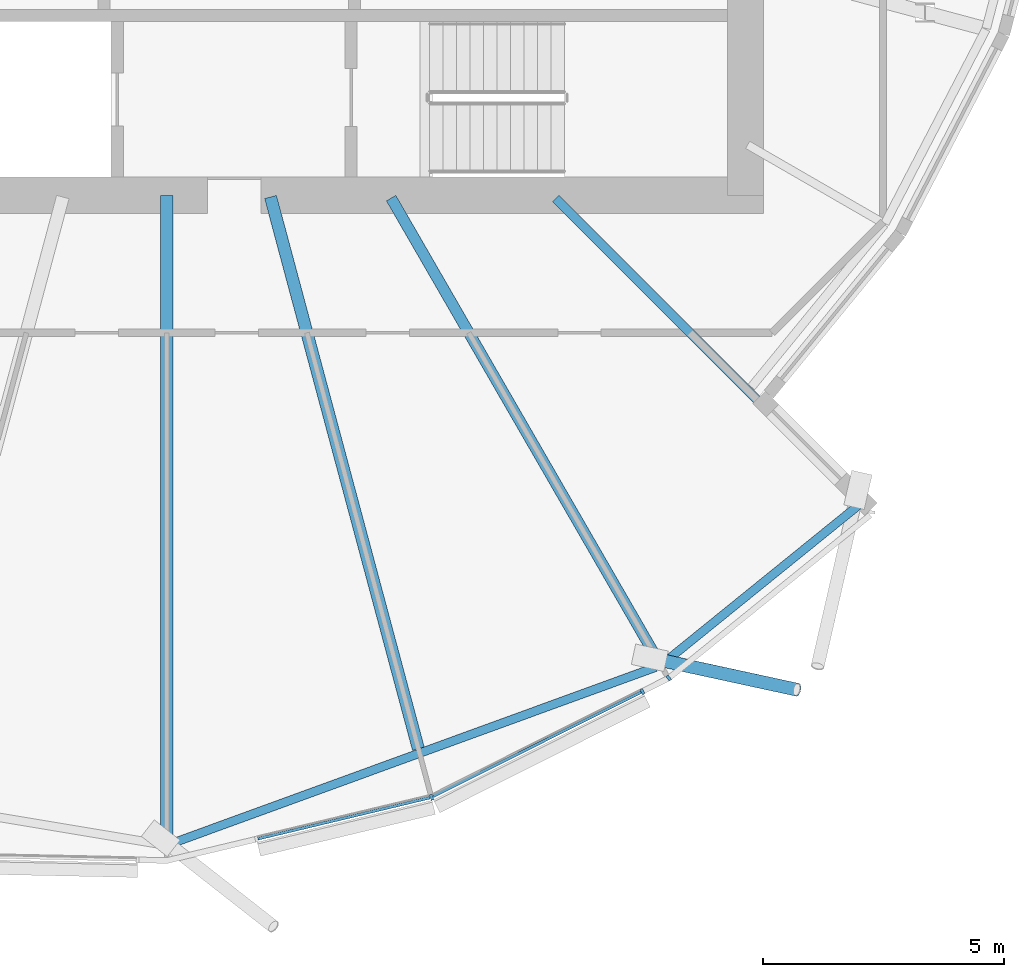
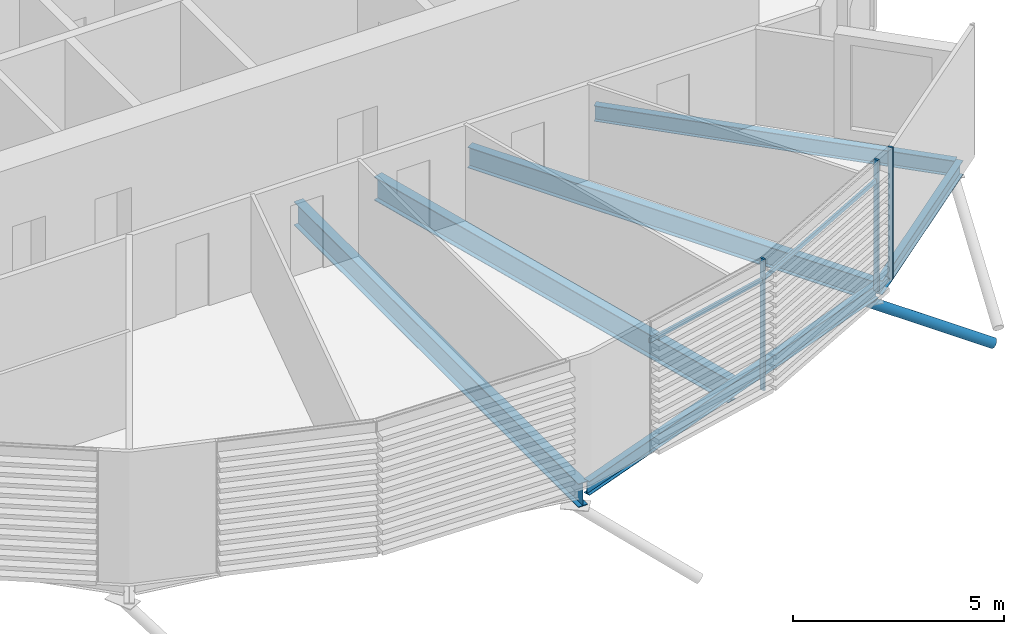
# One storey, part 14 of 38: 6 beams, 6 members, 1 element without a shape of its own.
"""IFC4 building model written with IfcOpenShell, lengths in metres."""

from ifc_helpers import new_model, si_unit, direction, frame, origin, origin_2d, place, context, subcontext, project, spatial, rectangle, hollow_circle, i_section, extrude, clip, halfspace, material, material_profile, profile_set, type_object, element, aggregate, save


model = new_model("IFC4")

# Units and contexts
model_context = context("Model", 3, precision=1e-05, world=origin(), true_north=direction((0.0, 1.0)))
body_context = subcontext(model_context, "Body", "Model", "MODEL_VIEW")
ifc_project = project(units=[si_unit("LENGTHUNIT", "METRE"), si_unit("AREAUNIT", "SQUARE_METRE"), si_unit("VOLUMEUNIT", "CUBIC_METRE"), si_unit("PLANEANGLEUNIT", "RADIAN"), si_unit("MASSUNIT", "GRAM", prefix="KILO")], contexts=[model_context])

# Site, building, storey
site_placement = place(None, origin())
site = spatial("IfcSite", under=ifc_project, at=site_placement, CompositionType="ELEMENT")
building_placement = place(site_placement, origin())
building = spatial("IfcBuilding", under=site, at=building_placement, Name="Rimbun Link Towers", CompositionType="ELEMENT")
storey_placement = place(building_placement, frame((0.0, 0.0, 123.39990234375)))
storey = spatial("IfcBuildingStorey", under=building, at=storey_placement, Name="L30", CompositionType="ELEMENT", Elevation=123.39990234375)

# Curtain wall, members
ifc_material_1 = material(Name="Aluminium 6063-T6 and low-iron glass", Category="aluminium")
curtain_wall_type = type_object("IfcCurtainWallType", Name="CW1-Z2 unitised vision wall (zone 2)", PredefinedType="NOTDEFINED", material=ifc_material_1)
curtain_wall_placement = place(storey_placement, origin())
curtain_wall = element("IfcCurtainWall", 1, at=curtain_wall_placement, inside=storey, type_object=curtain_wall_type, Name="CW1 L30 T2", PredefinedType="NOTDEFINED")
ifc_material_2 = material(Name="Aluminium 6063-T6", Category="aluminium")
ifc_material_profile_1 = material_profile(ifc_material_2, rectangle(XDim=0.1201171875, YDim=0.06005859375, at=origin_2d()), Name="MULLION 60X120")
ifc_profile_set_1 = profile_set([ifc_material_profile_1], Name="Aluminium 6063-T6")
member_type_1 = type_object("IfcMemberType", Name="CW1 mullion 60X120", PredefinedType="MULLION", material=ifc_profile_set_1)
member_1_placement = place(storey_placement, frame((37.24267578125, -20.47802734375, 0.0), z_axis=(0.0, 0.0, 1.0), x_axis=(0.342974549868, -0.939344696127, 0.0)))
member_1 = element("IfcMember", 2, at=member_1_placement, type_object=member_type_1, Name="CW1 mullion", PredefinedType="MULLION", context=body_context, shape_type="SweptSolid", body=[
    extrude(rectangle(XDim=0.1201171875, YDim=0.06005859375, at=origin_2d()), origin(), (0.0, 0.0, 1.0), 3.800048828125),
])
member_2_placement = place(storey_placement, frame((41.61083984375, -18.28466796875, 0.0), z_axis=(0.0, 0.0, 1.0), x_axis=(0.448789200311, -0.893637652343, 0.0)))
member_2 = element("IfcMember", 3, at=member_2_placement, type_object=member_type_1, Name="CW1 mullion", PredefinedType="MULLION", context=body_context, shape_type="SweptSolid", body=[
    extrude(rectangle(XDim=0.1201171875, YDim=0.06005859375, at=origin_2d()), origin(), (0.0, 0.0, 1.0), 3.800048828125),
])
member_3_placement = place(storey_placement, frame((42.157958984375, -18.00830078125, 0.0), z_axis=(0.0, 0.0, 1.0), x_axis=(0.62915825639, -0.777277227517, 0.0)))
member_3 = element("IfcMember", 4, at=member_3_placement, type_object=member_type_1, Name="CW1 mullion", PredefinedType="MULLION", context=body_context, shape_type="SweptSolid", body=[
    extrude(rectangle(XDim=0.1201171875, YDim=0.06005859375, at=origin_2d()), origin(), (0.0, 0.0, 1.0), 3.800048828125),
])
ifc_material_3 = material(Name="Aluminium 6063-T6", Category="aluminium")
ifc_material_profile_2 = material_profile(ifc_material_3, rectangle(XDim=0.06005859375, YDim=0.1201171875, at=origin_2d()), Name="TRANSOM 60X120")
ifc_profile_set_2 = profile_set([ifc_material_profile_2], Name="Aluminium 6063-T6")
member_type_2 = type_object("IfcMemberType", Name="CW1 transom 60X120", PredefinedType="USERDEFINED", material=ifc_profile_set_2)
member_4_placement = place(storey_placement, frame((37.206298828125, -20.485107421875, 3.2001953125), z_axis=(-0.972571359766, -0.232604707954, 0.0), x_axis=(0.232604707954, -0.972571359766, 0.0)))
member_4 = element("IfcMember", 5, at=member_4_placement, type_object=member_type_2, Name="CW1 transom", ObjectType="TRANSOM", PredefinedType="USERDEFINED", context=body_context, shape_type="SweptSolid", body=[
    extrude(rectangle(XDim=0.06005859375, YDim=0.1201171875, at=origin_2d()), origin(), (0.0, 0.0, 1.0), 3.666259765625),
])
member_5_placement = place(storey_placement, frame((41.583251953125, -18.29638671875, 3.2001953125), z_axis=(-0.893645973419, -0.44877263084, 0.0), x_axis=(0.44877263084, -0.893645973419, 0.0)))
member_5 = element("IfcMember", 6, at=member_5_placement, type_object=member_type_2, Name="CW1 transom", ObjectType="TRANSOM", PredefinedType="USERDEFINED", context=body_context, shape_type="SweptSolid", body=[
    extrude(rectangle(XDim=0.06005859375, YDim=0.1201171875, at=origin_2d()), origin(), (0.0, 0.0, 1.0), 4.821044921875),
])
aggregate(curtain_wall, [member_1, member_2, member_3, member_4, member_5])

# Member
ifc_material_4 = material(Name="Steel S355J2H", Category="steel")
ifc_material_profile_3 = material_profile(ifc_material_4, hollow_circle(Radius=0.136474609375, WallThickness=0.012451171875, at=origin_2d()), Name="CHS 273x12.5")
ifc_profile_set_3 = profile_set([ifc_material_profile_3], Name="Steel S355J2H")
member_type_3 = type_object("IfcMemberType", Name="Floor edge link CHS 273x12.5", PredefinedType="BRACE", material=ifc_profile_set_3)
member_6_placement = place(storey_placement, frame((41.923095703125, -17.620361328125, -0.8798828125), z_axis=(0.838310692832, -0.182026728455, -0.513908019407), x_axis=(0.212190624386, 0.977228294168, 0.0)))
element("IfcMember", 7, at=member_6_placement, inside=storey, type_object=member_type_3, Name="Floor edge link T2 L30 17", PredefinedType="BRACE", context=body_context, shape_type="Clipping", body=[
    clip(extrude(hollow_circle(Radius=0.136474609375, WallThickness=0.012451171875, at=origin_2d()), frame((0.0, 0.0, -0.47509765625)), (0.0, 0.0, 1.0), 3.935546875), halfspace(frame((0.0, 0.0, -0.224609375), z_axis=(0.0, 0.857845293505, -0.513908019407)), False)),
])

# Beams
ifc_material_5 = material(Name="Steel S355J2", Category="steel")
ifc_material_profile_4 = material_profile(ifc_material_5, i_section(OverallWidth=0.177978515625, OverallDepth=0.406494140625, WebThickness=0.0078125, FlangeThickness=0.0126953125, at=origin_2d()), Name="UB 406x178x60")
ifc_profile_set_4 = profile_set([ifc_material_profile_4], Name="Steel S355J2")
beam_type_1 = type_object("IfcBeamType", Name="UB 406x178x60", PredefinedType="BEAM", material=ifc_profile_set_4)
beam_1_placement = place(storey_placement, frame((31.877685546875, -21.4267578125, -0.363037109375), z_axis=(0.939623960717, 0.342208726434, 0.0), x_axis=(-0.342208726434, 0.939623960717, 0.0)))
element("IfcBeam", 8, at=beam_1_placement, inside=storey, type_object=beam_type_1, Name="Edge beam T2 L30 15-17", PredefinedType="BEAM", context=body_context, shape_type="SweptSolid", body=[
    extrude(i_section(OverallWidth=0.177978515625, OverallDepth=0.406494140625, WebThickness=0.0078125, FlangeThickness=0.0126953125, at=origin_2d()), origin(), (0.0, 0.0, 1.0), 10.6494140625),
])
beam_2_placement = place(storey_placement, frame((41.994384765625, -17.741943359375, -0.363037109375), z_axis=(0.777285404444, 0.629148154284, 0.0), x_axis=(-0.629148154284, 0.777285404444, 0.0)))
element("IfcBeam", 9, at=beam_2_placement, inside=storey, type_object=beam_type_1, Name="Edge beam T2 L30 17", PredefinedType="BEAM", context=body_context, shape_type="SweptSolid", body=[
    extrude(i_section(OverallWidth=0.177978515625, OverallDepth=0.406494140625, WebThickness=0.0078125, FlangeThickness=0.0126953125, at=origin_2d()), origin(), (0.0, 0.0, 1.0), 5.329833984375),
])
ifc_material_6 = material(Name="Steel S355J2", Category="steel")
ifc_material_profile_5 = material_profile(ifc_material_6, i_section(OverallWidth=0.18994140625, OverallDepth=0.453369140625, WebThickness=0.008544921875, FlangeThickness=0.0126953125, at=origin_2d()), Name="UB 457x191x67")
ifc_profile_set_5 = profile_set([ifc_material_profile_5], Name="Steel S355J2")
beam_type_2 = type_object("IfcBeamType", Name="UB 457x191x67", PredefinedType="BEAM", material=ifc_profile_set_5)
beam_3_placement = place(storey_placement, frame((39.81787109375, -8.06787109375, -0.38671875), z_axis=(0.707106781187, -0.707106781187, 0.0), x_axis=(0.707106781187, 0.707106781187, 0.0)))
element("IfcBeam", 10, at=beam_3_placement, inside=storey, type_object=beam_type_2, Name="Radial beam T2 L30 18", PredefinedType="BEAM", context=body_context, shape_type="SweptSolid", body=[
    extrude(i_section(OverallWidth=0.18994140625, OverallDepth=0.453369140625, WebThickness=0.008544921875, FlangeThickness=0.0126953125, at=origin_2d()), origin(), (0.0, 0.0, 1.0), 8.847412109375),
])
ifc_material_7 = material(Name="Steel S355J2", Category="steel")
ifc_material_profile_6 = material_profile(ifc_material_7, i_section(OverallWidth=0.2275390625, OverallDepth=0.6025390625, WebThickness=0.010498046875, FlangeThickness=0.014892578125, at=origin_2d()), Name="UB 610x229x101")
ifc_profile_set_6 = profile_set([ifc_material_profile_6], Name="Steel S355J2")
beam_type_3 = type_object("IfcBeamType", Name="UB 610x229x101", PredefinedType="BEAM", material=ifc_profile_set_6)
beam_4_placement = place(storey_placement, frame((36.402099609375, -8.057861328125, -0.461181640625), z_axis=(0.500002536638, -0.866023939251, 0.0), x_axis=(0.866023939251, 0.500002536638, 0.0)))
element("IfcBeam", 11, at=beam_4_placement, inside=storey, type_object=beam_type_3, Name="Radial beam T2 L30 17", PredefinedType="BEAM", context=body_context, shape_type="SweptSolid", body=[
    extrude(i_section(OverallWidth=0.2275390625, OverallDepth=0.6025390625, WebThickness=0.010498046875, FlangeThickness=0.014892578125, at=origin_2d()), origin(), (0.0, 0.0, 1.0), 11.091796875),
])
ifc_material_8 = material(Name="Steel S355J2", Category="steel")
ifc_material_profile_7 = material_profile(ifc_material_8, i_section(OverallWidth=0.253662109375, OverallDepth=0.68359375, WebThickness=0.012451171875, FlangeThickness=0.01904296875, at=origin_2d()), Name="UB 686x254x140")
ifc_profile_set_7 = profile_set([ifc_material_profile_7], Name="Steel S355J2")
beam_type_4 = type_object("IfcBeamType", Name="UB 686x254x140", PredefinedType="BEAM", material=ifc_profile_set_7)
beam_5_placement = place(storey_placement, frame((31.75, -8.0009765625, -0.501708984375), z_axis=(0.0, -1.0, 0.0), x_axis=(1.0, 0.0, 0.0)))
element("IfcBeam", 12, at=beam_5_placement, inside=storey, type_object=beam_type_4, Name="Radial beam T2 L30 15", PredefinedType="BEAM", context=body_context, shape_type="SweptSolid", body=[
    extrude(i_section(OverallWidth=0.253662109375, OverallDepth=0.68359375, WebThickness=0.012451171875, FlangeThickness=0.01904296875, at=origin_2d()), origin(), (0.0, 0.0, 1.0), 13.47216796875),
])
beam_6_placement = place(storey_placement, frame((33.902587890625, -8.03369140625, -0.501708984375), z_axis=(0.258818149122, -0.965926066366, 0.0), x_axis=(0.965926066366, 0.258818149122, 0.0)))
element("IfcBeam", 13, at=beam_6_placement, inside=storey, type_object=beam_type_4, Name="Radial beam T2 L30 16", PredefinedType="BEAM", context=body_context, shape_type="SweptSolid", body=[
    extrude(i_section(OverallWidth=0.253662109375, OverallDepth=0.68359375, WebThickness=0.012451171875, FlangeThickness=0.01904296875, at=origin_2d()), origin(), (0.0, 0.0, 1.0), 11.8466796875),
])

save(model, "model.ifc")
